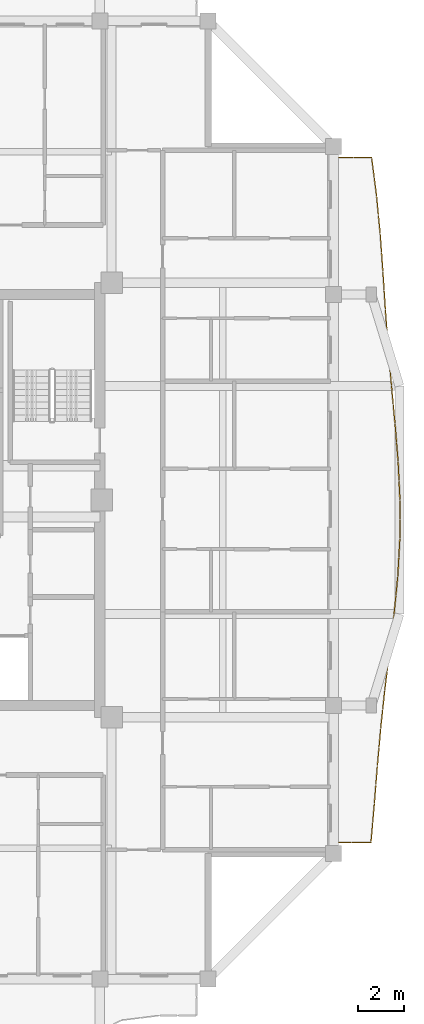
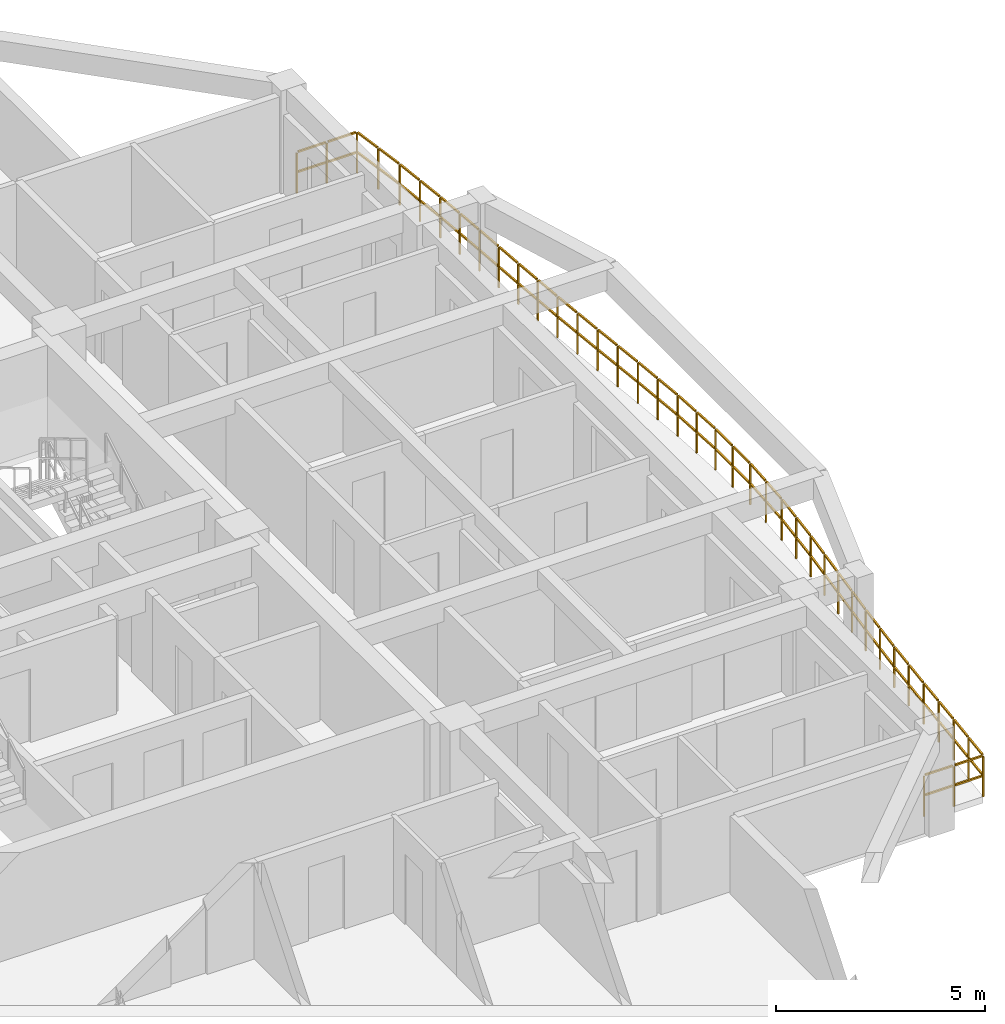
# One storey, part 13 of 14: 1 railing.
"""IFC4 building model written with IfcOpenShell, lengths in metres."""

from ifc_helpers import new_model, si_unit, direction, frame, origin, origin_2d, place, context, subcontext, project, spatial, rectangle, extrude, material, type_object, element, save


model = new_model("IFC4")

# Units and contexts
model_context = context("Model", 3, precision=1e-05, world=origin(), true_north=direction((0.0, 1.0)))
body_context = subcontext(model_context, "Body", "Model", "MODEL_VIEW")
ifc_project = project(units=[si_unit("LENGTHUNIT", "METRE"), si_unit("AREAUNIT", "SQUARE_METRE"), si_unit("VOLUMEUNIT", "CUBIC_METRE"), si_unit("PLANEANGLEUNIT", "RADIAN"), si_unit("MASSUNIT", "GRAM", prefix="KILO")], contexts=[model_context])

# Site, building, storey
site_placement = place(None, origin())
site = spatial("IfcSite", under=ifc_project, at=site_placement, CompositionType="ELEMENT")
building_placement = place(site_placement, origin())
building = spatial("IfcBuilding", under=site, at=building_placement, Name="Saelheon Loggia Tower", CompositionType="ELEMENT")
storey_placement = place(building_placement, frame((0.0, 0.0, 230.10009765625)))
storey = spatial("IfcBuildingStorey", under=building, at=storey_placement, Name="L71", CompositionType="ELEMENT", Elevation=230.10009765625)

# Railing
ifc_material = material(Name="Architectural Precast Concrete and Laminated Glass Guard", Category="concrete")
railing_type = type_object("IfcRailingType", Name="Guard_Loggia_RL_LOG", PredefinedType="BALUSTRADE", material=ifc_material)
railing_placement = place(storey_placement, frame((54.75, 12.0, 0.0)))
element("IfcRailing", 1, at=railing_placement, inside=storey, type_object=railing_type, Name="L71 East Loggia Balustrade", PredefinedType="BALUSTRADE", context=body_context, shape_type="SweptSolid", body=[
    extrude(rectangle(XDim=0.048095703125, YDim=0.048095703125, at=origin_2d()), frame((0.033203125, 0.0, 1.19580078125), z_axis=(1.0, 0.0, 0.0), x_axis=(0.0, 1.0, 0.0)), (0.0, 0.0, 1.0), 0.7509765625),
    extrude(rectangle(XDim=0.048095703125, YDim=0.048095703125, at=origin_2d()), frame((0.033203125, 0.0, 0.60986328125), z_axis=(1.0, 0.0, 0.0), x_axis=(0.0, 1.0, 0.0)), (0.0, 0.0, 1.0), 0.7509765625),
    extrude(rectangle(XDim=0.048095703125, YDim=0.048095703125, at=origin_2d()), frame((0.850830078125, 0.0, 1.19580078125), z_axis=(1.0, 0.0, 0.0), x_axis=(0.0, 1.0, 0.0)), (0.0, 0.0, 1.0), 0.7509765625),
    extrude(rectangle(XDim=0.048095703125, YDim=0.048095703125, at=origin_2d()), frame((0.850830078125, 0.0, 0.60986328125), z_axis=(1.0, 0.0, 0.0), x_axis=(0.0, 1.0, 0.0)), (0.0, 0.0, 1.0), 0.7509765625),
    extrude(rectangle(XDim=0.048095703125, YDim=0.048095703125, at=origin_2d()), frame((1.637939453125, 0.033203125, 1.19580078125), z_axis=(0.087114455938, 0.996198309357, 0.0), x_axis=(-0.996198309357, 0.087114455938, 0.0)), (0.0, 0.0, 1.0), 0.77001953125),
    extrude(rectangle(XDim=0.048095703125, YDim=0.048095703125, at=origin_2d()), frame((1.637939453125, 0.033203125, 0.60986328125), z_axis=(0.087114455938, 0.996198309357, 0.0), x_axis=(-0.996198309357, 0.087114455938, 0.0)), (0.0, 0.0, 1.0), 0.77001953125),
    extrude(rectangle(XDim=0.048095703125, YDim=0.048095703125, at=origin_2d()), frame((1.710693359375, 0.866455078125, 1.19580078125), z_axis=(0.087114455938, 0.996198309357, 0.0), x_axis=(-0.996198309357, 0.087114455938, 0.0)), (0.0, 0.0, 1.0), 0.77001953125),
    extrude(rectangle(XDim=0.048095703125, YDim=0.048095703125, at=origin_2d()), frame((1.710693359375, 0.866455078125, 0.60986328125), z_axis=(0.087114455938, 0.996198309357, 0.0), x_axis=(-0.996198309357, 0.087114455938, 0.0)), (0.0, 0.0, 1.0), 0.77001953125),
    extrude(rectangle(XDim=0.048095703125, YDim=0.048095703125, at=origin_2d()), frame((1.783447265625, 1.699951171875, 1.19580078125), z_axis=(0.07973361399, 0.996816207132, 0.0), x_axis=(-0.996816207132, 0.07973361399, 0.0)), (0.0, 0.0, 1.0), 0.76953125),
    extrude(rectangle(XDim=0.048095703125, YDim=0.048095703125, at=origin_2d()), frame((1.783447265625, 1.699951171875, 0.60986328125), z_axis=(0.07973361399, 0.996816207132, 0.0), x_axis=(-0.996816207132, 0.07973361399, 0.0)), (0.0, 0.0, 1.0), 0.76953125),
    extrude(rectangle(XDim=0.048095703125, YDim=0.048095703125, at=origin_2d()), frame((1.85009765625, 2.533203125, 1.19580078125), z_axis=(0.07973361399, 0.996816207132, 0.0), x_axis=(-0.996816207132, 0.07973361399, 0.0)), (0.0, 0.0, 1.0), 0.76953125),
    extrude(rectangle(XDim=0.048095703125, YDim=0.048095703125, at=origin_2d()), frame((1.85009765625, 2.533203125, 0.60986328125), z_axis=(0.07973361399, 0.996816207132, 0.0), x_axis=(-0.996816207132, 0.07973361399, 0.0)), (0.0, 0.0, 1.0), 0.76953125),
    extrude(rectangle(XDim=0.048095703125, YDim=0.048095703125, at=origin_2d()), frame((1.9169921875, 3.366455078125, 1.19580078125), z_axis=(0.088417548039, 0.99608349911, 0.0), x_axis=(-0.99608349911, 0.088417548039, 0.0)), (0.0, 0.0, 1.0), 0.770263671875),
    extrude(rectangle(XDim=0.048095703125, YDim=0.048095703125, at=origin_2d()), frame((1.9169921875, 3.366455078125, 0.60986328125), z_axis=(0.088417548039, 0.99608349911, 0.0), x_axis=(-0.99608349911, 0.088417548039, 0.0)), (0.0, 0.0, 1.0), 0.770263671875),
    extrude(rectangle(XDim=0.048095703125, YDim=0.048095703125, at=origin_2d()), frame((1.990966796875, 4.19970703125, 1.19580078125), z_axis=(0.088417548039, 0.99608349911, 0.0), x_axis=(-0.99608349911, 0.088417548039, 0.0)), (0.0, 0.0, 1.0), 0.770263671875),
    extrude(rectangle(XDim=0.048095703125, YDim=0.048095703125, at=origin_2d()), frame((1.990966796875, 4.19970703125, 0.60986328125), z_axis=(0.088417548039, 0.99608349911, 0.0), x_axis=(-0.99608349911, 0.088417548039, 0.0)), (0.0, 0.0, 1.0), 0.770263671875),
    extrude(rectangle(XDim=0.048095703125, YDim=0.048095703125, at=origin_2d()), frame((2.0654296875, 5.032958984375, 1.19580078125), z_axis=(0.106178269107, 0.994347110002, 0.0), x_axis=(-0.994347110002, 0.106178269107, 0.0)), (0.0, 0.0, 1.0), 0.771728515625),
    extrude(rectangle(XDim=0.048095703125, YDim=0.048095703125, at=origin_2d()), frame((2.0654296875, 5.032958984375, 0.60986328125), z_axis=(0.106178269107, 0.994347110002, 0.0), x_axis=(-0.994347110002, 0.106178269107, 0.0)), (0.0, 0.0, 1.0), 0.771728515625),
    extrude(rectangle(XDim=0.048095703125, YDim=0.048095703125, at=origin_2d()), frame((2.154541015625, 5.866455078125, 1.19580078125), z_axis=(0.106178269107, 0.994347110002, 0.0), x_axis=(-0.994347110002, 0.106178269107, 0.0)), (0.0, 0.0, 1.0), 0.771728515625),
    extrude(rectangle(XDim=0.048095703125, YDim=0.048095703125, at=origin_2d()), frame((2.154541015625, 5.866455078125, 0.60986328125), z_axis=(0.106178269107, 0.994347110002, 0.0), x_axis=(-0.994347110002, 0.106178269107, 0.0)), (0.0, 0.0, 1.0), 0.771728515625),
    extrude(rectangle(XDim=0.048095703125, YDim=0.048095703125, at=origin_2d()), frame((2.243896484375, 6.69970703125, 1.19580078125), z_axis=(0.120704864323, 0.992688438398, 0.0), x_axis=(-0.992688438398, 0.120704864323, 0.0)), (0.0, 0.0, 1.0), 0.77294921875),
    extrude(rectangle(XDim=0.048095703125, YDim=0.048095703125, at=origin_2d()), frame((2.243896484375, 6.69970703125, 0.60986328125), z_axis=(0.120704864323, 0.992688438398, 0.0), x_axis=(-0.992688438398, 0.120704864323, 0.0)), (0.0, 0.0, 1.0), 0.77294921875),
    extrude(rectangle(XDim=0.048095703125, YDim=0.048095703125, at=origin_2d()), frame((2.34521484375, 7.532958984375, 1.19580078125), z_axis=(0.120704864323, 0.992688438398, 0.0), x_axis=(-0.992688438398, 0.120704864323, 0.0)), (0.0, 0.0, 1.0), 0.77294921875),
    extrude(rectangle(XDim=0.048095703125, YDim=0.048095703125, at=origin_2d()), frame((2.34521484375, 7.532958984375, 0.60986328125), z_axis=(0.120704864323, 0.992688438398, 0.0), x_axis=(-0.992688438398, 0.120704864323, 0.0)), (0.0, 0.0, 1.0), 0.77294921875),
    extrude(rectangle(XDim=0.048095703125, YDim=0.048095703125, at=origin_2d()), frame((2.446533203125, 8.3662109375, 1.19580078125), z_axis=(0.120257541517, 0.992742727855, 0.0), x_axis=(-0.992742727855, 0.120257541517, 0.0)), (0.0, 0.0, 1.0), 0.77294921875),
    extrude(rectangle(XDim=0.048095703125, YDim=0.048095703125, at=origin_2d()), frame((2.446533203125, 8.3662109375, 0.60986328125), z_axis=(0.120257541517, 0.992742727855, 0.0), x_axis=(-0.992742727855, 0.120257541517, 0.0)), (0.0, 0.0, 1.0), 0.77294921875),
    extrude(rectangle(XDim=0.048095703125, YDim=0.048095703125, at=origin_2d()), frame((2.547607421875, 9.19970703125, 1.19580078125), z_axis=(0.120257541517, 0.992742727855, 0.0), x_axis=(-0.992742727855, 0.120257541517, 0.0)), (0.0, 0.0, 1.0), 0.77294921875),
    extrude(rectangle(XDim=0.048095703125, YDim=0.048095703125, at=origin_2d()), frame((2.547607421875, 9.19970703125, 0.60986328125), z_axis=(0.120257541517, 0.992742727855, 0.0), x_axis=(-0.992742727855, 0.120257541517, 0.0)), (0.0, 0.0, 1.0), 0.77294921875),
    extrude(rectangle(XDim=0.048095703125, YDim=0.048095703125, at=origin_2d()), frame((2.647705078125, 10.032958984375, 1.19580078125), z_axis=(0.097814897241, 0.995204625129, 0.0), x_axis=(-0.995204625129, 0.097814897241, 0.0)), (0.0, 0.0, 1.0), 0.77099609375),
    extrude(rectangle(XDim=0.048095703125, YDim=0.048095703125, at=origin_2d()), frame((2.647705078125, 10.032958984375, 0.60986328125), z_axis=(0.097814897241, 0.995204625129, 0.0), x_axis=(-0.995204625129, 0.097814897241, 0.0)), (0.0, 0.0, 1.0), 0.77099609375),
    extrude(rectangle(XDim=0.048095703125, YDim=0.048095703125, at=origin_2d()), frame((2.729736328125, 10.866455078125, 1.19580078125), z_axis=(0.097814897241, 0.995204625129, 0.0), x_axis=(-0.995204625129, 0.097814897241, 0.0)), (0.0, 0.0, 1.0), 0.77099609375),
    extrude(rectangle(XDim=0.048095703125, YDim=0.048095703125, at=origin_2d()), frame((2.729736328125, 10.866455078125, 0.60986328125), z_axis=(0.097814897241, 0.995204625129, 0.0), x_axis=(-0.995204625129, 0.097814897241, 0.0)), (0.0, 0.0, 1.0), 0.77099609375),
    extrude(rectangle(XDim=0.048095703125, YDim=0.048095703125, at=origin_2d()), frame((2.81005859375, 11.699951171875, 1.19580078125), z_axis=(0.05485429076, 0.998494369932, 0.0), x_axis=(-0.998494369932, 0.05485429076, 0.0)), (0.0, 0.0, 1.0), 0.76806640625),
    extrude(rectangle(XDim=0.048095703125, YDim=0.048095703125, at=origin_2d()), frame((2.81005859375, 11.699951171875, 0.60986328125), z_axis=(0.05485429076, 0.998494369932, 0.0), x_axis=(-0.998494369932, 0.05485429076, 0.0)), (0.0, 0.0, 1.0), 0.76806640625),
    extrude(rectangle(XDim=0.048095703125, YDim=0.048095703125, at=origin_2d()), frame((2.85595703125, 12.533203125, 1.19580078125), z_axis=(0.05485429076, 0.998494369932, 0.0), x_axis=(-0.998494369932, 0.05485429076, 0.0)), (0.0, 0.0, 1.0), 0.76806640625),
    extrude(rectangle(XDim=0.048095703125, YDim=0.048095703125, at=origin_2d()), frame((2.85595703125, 12.533203125, 0.60986328125), z_axis=(0.05485429076, 0.998494369932, 0.0), x_axis=(-0.998494369932, 0.05485429076, 0.0)), (0.0, 0.0, 1.0), 0.76806640625),
    extrude(rectangle(XDim=0.048095703125, YDim=0.048095703125, at=origin_2d()), frame((2.89990234375, 13.366455078125, 1.19580078125), z_axis=(0.001611247359, 0.99999870194, 0.0), x_axis=(-0.99999870194, 0.001611247359, 0.0)), (0.0, 0.0, 1.0), 0.766845703125),
    extrude(rectangle(XDim=0.048095703125, YDim=0.048095703125, at=origin_2d()), frame((2.89990234375, 13.366455078125, 0.60986328125), z_axis=(0.001611247359, 0.99999870194, 0.0), x_axis=(-0.99999870194, 0.001611247359, 0.0)), (0.0, 0.0, 1.0), 0.766845703125),
    extrude(rectangle(XDim=0.048095703125, YDim=0.048095703125, at=origin_2d()), frame((2.9013671875, 14.199951171875, 1.19580078125), z_axis=(0.001611247359, 0.99999870194, 0.0), x_axis=(-0.99999870194, 0.001611247359, 0.0)), (0.0, 0.0, 1.0), 0.766845703125),
    extrude(rectangle(XDim=0.048095703125, YDim=0.048095703125, at=origin_2d()), frame((2.9013671875, 14.199951171875, 0.60986328125), z_axis=(0.001611247359, 0.99999870194, 0.0), x_axis=(-0.99999870194, 0.001611247359, 0.0)), (0.0, 0.0, 1.0), 0.766845703125),
    extrude(rectangle(XDim=0.048095703125, YDim=0.048095703125, at=origin_2d()), frame((2.90087890625, 15.033203125, 1.19580078125), z_axis=(-0.047843201799, 0.998854858346, 0.0), x_axis=(-0.998854858346, -0.047843201799, 0.0)), (0.0, 0.0, 1.0), 0.767822265625),
    extrude(rectangle(XDim=0.048095703125, YDim=0.048095703125, at=origin_2d()), frame((2.90087890625, 15.033203125, 0.60986328125), z_axis=(-0.047843201799, 0.998854858346, 0.0), x_axis=(-0.998854858346, -0.047843201799, 0.0)), (0.0, 0.0, 1.0), 0.767822265625),
    extrude(rectangle(XDim=0.048095703125, YDim=0.048095703125, at=origin_2d()), frame((2.861083984375, 15.866455078125, 1.19580078125), z_axis=(-0.047843201799, 0.998854858346, 0.0), x_axis=(-0.998854858346, -0.047843201799, 0.0)), (0.0, 0.0, 1.0), 0.767822265625),
    extrude(rectangle(XDim=0.048095703125, YDim=0.048095703125, at=origin_2d()), frame((2.861083984375, 15.866455078125, 0.60986328125), z_axis=(-0.047843201799, 0.998854858346, 0.0), x_axis=(-0.998854858346, -0.047843201799, 0.0)), (0.0, 0.0, 1.0), 0.767822265625),
    extrude(rectangle(XDim=0.048095703125, YDim=0.048095703125, at=origin_2d()), frame((2.820068359375, 16.699951171875, 1.19580078125), z_axis=(-0.080894281966, 0.996722687183, 0.0), x_axis=(-0.996722687183, -0.080894281966, 0.0)), (0.0, 0.0, 1.0), 0.76953125),
    extrude(rectangle(XDim=0.048095703125, YDim=0.048095703125, at=origin_2d()), frame((2.820068359375, 16.699951171875, 0.60986328125), z_axis=(-0.080894281966, 0.996722687183, 0.0), x_axis=(-0.996722687183, -0.080894281966, 0.0)), (0.0, 0.0, 1.0), 0.76953125),
    extrude(rectangle(XDim=0.048095703125, YDim=0.048095703125, at=origin_2d()), frame((2.75244140625, 17.533203125, 1.19580078125), z_axis=(-0.080894281966, 0.996722687183, 0.0), x_axis=(-0.996722687183, -0.080894281966, 0.0)), (0.0, 0.0, 1.0), 0.76953125),
    extrude(rectangle(XDim=0.048095703125, YDim=0.048095703125, at=origin_2d()), frame((2.75244140625, 17.533203125, 0.60986328125), z_axis=(-0.080894281966, 0.996722687183, 0.0), x_axis=(-0.996722687183, -0.080894281966, 0.0)), (0.0, 0.0, 1.0), 0.76953125),
    extrude(rectangle(XDim=0.048095703125, YDim=0.048095703125, at=origin_2d()), frame((2.684326171875, 18.366455078125, 1.19580078125), z_axis=(-0.092613280801, 0.995702154371, 0.0), x_axis=(-0.995702154371, -0.092613280801, 0.0)), (0.0, 0.0, 1.0), 0.7705078125),
    extrude(rectangle(XDim=0.048095703125, YDim=0.048095703125, at=origin_2d()), frame((2.684326171875, 18.366455078125, 0.60986328125), z_axis=(-0.092613280801, 0.995702154371, 0.0), x_axis=(-0.995702154371, -0.092613280801, 0.0)), (0.0, 0.0, 1.0), 0.7705078125),
    extrude(rectangle(XDim=0.048095703125, YDim=0.048095703125, at=origin_2d()), frame((2.60693359375, 19.19970703125, 1.19580078125), z_axis=(-0.092613280801, 0.995702154371, 0.0), x_axis=(-0.995702154371, -0.092613280801, 0.0)), (0.0, 0.0, 1.0), 0.7705078125),
    extrude(rectangle(XDim=0.048095703125, YDim=0.048095703125, at=origin_2d()), frame((2.60693359375, 19.19970703125, 0.60986328125), z_axis=(-0.092613280801, 0.995702154371, 0.0), x_axis=(-0.995702154371, -0.092613280801, 0.0)), (0.0, 0.0, 1.0), 0.7705078125),
    extrude(rectangle(XDim=0.048095703125, YDim=0.048095703125, at=origin_2d()), frame((2.529541015625, 20.033203125, 1.19580078125), z_axis=(-0.086390322179, 0.99626136743, 0.0), x_axis=(-0.99626136743, -0.086390322179, 0.0)), (0.0, 0.0, 1.0), 0.77001953125),
    extrude(rectangle(XDim=0.048095703125, YDim=0.048095703125, at=origin_2d()), frame((2.529541015625, 20.033203125, 0.60986328125), z_axis=(-0.086390322179, 0.99626136743, 0.0), x_axis=(-0.99626136743, -0.086390322179, 0.0)), (0.0, 0.0, 1.0), 0.77001953125),
    extrude(rectangle(XDim=0.048095703125, YDim=0.048095703125, at=origin_2d()), frame((2.457275390625, 20.866455078125, 1.19580078125), z_axis=(-0.086390322179, 0.99626136743, 0.0), x_axis=(-0.99626136743, -0.086390322179, 0.0)), (0.0, 0.0, 1.0), 0.77001953125),
    extrude(rectangle(XDim=0.048095703125, YDim=0.048095703125, at=origin_2d()), frame((2.457275390625, 20.866455078125, 0.60986328125), z_axis=(-0.086390322179, 0.99626136743, 0.0), x_axis=(-0.99626136743, -0.086390322179, 0.0)), (0.0, 0.0, 1.0), 0.77001953125),
    extrude(rectangle(XDim=0.048095703125, YDim=0.048095703125, at=origin_2d()), frame((2.385498046875, 21.699951171875, 1.19580078125), z_axis=(-0.072762955311, 0.997349262964, 0.0), x_axis=(-0.997349262964, -0.072762955311, 0.0)), (0.0, 0.0, 1.0), 0.76904296875),
    extrude(rectangle(XDim=0.048095703125, YDim=0.048095703125, at=origin_2d()), frame((2.385498046875, 21.699951171875, 0.60986328125), z_axis=(-0.072762955311, 0.997349262964, 0.0), x_axis=(-0.997349262964, -0.072762955311, 0.0)), (0.0, 0.0, 1.0), 0.76904296875),
    extrude(rectangle(XDim=0.048095703125, YDim=0.048095703125, at=origin_2d()), frame((2.32470703125, 22.533203125, 1.19580078125), z_axis=(-0.072762955311, 0.997349262964, 0.0), x_axis=(-0.997349262964, -0.072762955311, 0.0)), (0.0, 0.0, 1.0), 0.76904296875),
    extrude(rectangle(XDim=0.048095703125, YDim=0.048095703125, at=origin_2d()), frame((2.32470703125, 22.533203125, 0.60986328125), z_axis=(-0.072762955311, 0.997349262964, 0.0), x_axis=(-0.997349262964, -0.072762955311, 0.0)), (0.0, 0.0, 1.0), 0.76904296875),
    extrude(rectangle(XDim=0.048095703125, YDim=0.048095703125, at=origin_2d()), frame((2.26416015625, 23.366455078125, 1.19580078125), z_axis=(-0.064753226783, 0.997901307556, 0.0), x_axis=(-0.997901307556, -0.064753226783, 0.0)), (0.0, 0.0, 1.0), 0.7685546875),
    extrude(rectangle(XDim=0.048095703125, YDim=0.048095703125, at=origin_2d()), frame((2.26416015625, 23.366455078125, 0.60986328125), z_axis=(-0.064753226783, 0.997901307556, 0.0), x_axis=(-0.997901307556, -0.064753226783, 0.0)), (0.0, 0.0, 1.0), 0.7685546875),
    extrude(rectangle(XDim=0.048095703125, YDim=0.048095703125, at=origin_2d()), frame((2.210205078125, 24.19970703125, 1.19580078125), z_axis=(-0.064753226783, 0.997901307556, 0.0), x_axis=(-0.997901307556, -0.064753226783, 0.0)), (0.0, 0.0, 1.0), 0.7685546875),
    extrude(rectangle(XDim=0.048095703125, YDim=0.048095703125, at=origin_2d()), frame((2.210205078125, 24.19970703125, 0.60986328125), z_axis=(-0.064753226783, 0.997901307556, 0.0), x_axis=(-0.997901307556, -0.064753226783, 0.0)), (0.0, 0.0, 1.0), 0.7685546875),
    extrude(rectangle(XDim=0.048095703125, YDim=0.048095703125, at=origin_2d()), frame((2.15576171875, 25.033203125, 1.19580078125), z_axis=(-0.07188037557, 0.997413260193, 0.0), x_axis=(-0.997413260193, -0.07188037557, 0.0)), (0.0, 0.0, 1.0), 0.76904296875),
    extrude(rectangle(XDim=0.048095703125, YDim=0.048095703125, at=origin_2d()), frame((2.15576171875, 25.033203125, 0.60986328125), z_axis=(-0.07188037557, 0.997413260193, 0.0), x_axis=(-0.997413260193, -0.07188037557, 0.0)), (0.0, 0.0, 1.0), 0.76904296875),
    extrude(rectangle(XDim=0.048095703125, YDim=0.048095703125, at=origin_2d()), frame((2.095703125, 25.866455078125, 1.19580078125), z_axis=(-0.07188037557, 0.997413260193, 0.0), x_axis=(-0.997413260193, -0.07188037557, 0.0)), (0.0, 0.0, 1.0), 0.76904296875),
    extrude(rectangle(XDim=0.048095703125, YDim=0.048095703125, at=origin_2d()), frame((2.095703125, 25.866455078125, 0.60986328125), z_axis=(-0.07188037557, 0.997413260193, 0.0), x_axis=(-0.997413260193, -0.07188037557, 0.0)), (0.0, 0.0, 1.0), 0.76904296875),
    extrude(rectangle(XDim=0.048095703125, YDim=0.048095703125, at=origin_2d()), frame((2.034912109375, 26.699951171875, 1.19580078125), z_axis=(-0.095084372912, 0.995469217017, 0.0), x_axis=(-0.995469217017, -0.095084372912, 0.0)), (0.0, 0.0, 1.0), 0.7705078125),
    extrude(rectangle(XDim=0.048095703125, YDim=0.048095703125, at=origin_2d()), frame((2.034912109375, 26.699951171875, 0.60986328125), z_axis=(-0.095084372912, 0.995469217017, 0.0), x_axis=(-0.995469217017, -0.095084372912, 0.0)), (0.0, 0.0, 1.0), 0.7705078125),
    extrude(rectangle(XDim=0.048095703125, YDim=0.048095703125, at=origin_2d()), frame((1.955322265625, 27.533203125, 1.19580078125), z_axis=(-0.095084372912, 0.995469217017, 0.0), x_axis=(-0.995469217017, -0.095084372912, 0.0)), (0.0, 0.0, 1.0), 0.7705078125),
    extrude(rectangle(XDim=0.048095703125, YDim=0.048095703125, at=origin_2d()), frame((1.955322265625, 27.533203125, 0.60986328125), z_axis=(-0.095084372912, 0.995469217017, 0.0), x_axis=(-0.995469217017, -0.095084372912, 0.0)), (0.0, 0.0, 1.0), 0.7705078125),
    extrude(rectangle(XDim=0.048095703125, YDim=0.048095703125, at=origin_2d()), frame((1.874755859375, 28.3662109375, 1.19580078125), z_axis=(-0.12755645116, 0.991831312153, 0.0), x_axis=(-0.991831312153, -0.12755645116, 0.0)), (0.0, 0.0, 1.0), 0.773681640625),
    extrude(rectangle(XDim=0.048095703125, YDim=0.048095703125, at=origin_2d()), frame((1.874755859375, 28.3662109375, 0.60986328125), z_axis=(-0.12755645116, 0.991831312153, 0.0), x_axis=(-0.991831312153, -0.12755645116, 0.0)), (0.0, 0.0, 1.0), 0.773681640625),
    extrude(rectangle(XDim=0.048095703125, YDim=0.048095703125, at=origin_2d()), frame((1.767578125, 29.19970703125, 1.19580078125), z_axis=(-0.12755645116, 0.991831312153, 0.0), x_axis=(-0.991831312153, -0.12755645116, 0.0)), (0.0, 0.0, 1.0), 0.773681640625),
    extrude(rectangle(XDim=0.048095703125, YDim=0.048095703125, at=origin_2d()), frame((1.767578125, 29.19970703125, 0.60986328125), z_axis=(-0.12755645116, 0.991831312153, 0.0), x_axis=(-0.991831312153, -0.12755645116, 0.0)), (0.0, 0.0, 1.0), 0.773681640625),
    extrude(rectangle(XDim=0.048095703125, YDim=0.048095703125, at=origin_2d()), frame((1.63134765625, 30.0, 1.19580078125), z_axis=(-1.0, 0.0, 0.0), x_axis=(0.0, -1.0, 0.0)), (0.0, 0.0, 1.0), 0.765869140625),
    extrude(rectangle(XDim=0.048095703125, YDim=0.048095703125, at=origin_2d()), frame((1.63134765625, 30.0, 0.60986328125), z_axis=(-1.0, 0.0, 0.0), x_axis=(0.0, -1.0, 0.0)), (0.0, 0.0, 1.0), 0.765869140625),
    extrude(rectangle(XDim=0.048095703125, YDim=0.048095703125, at=origin_2d()), frame((0.799072265625, 30.0, 1.19580078125), z_axis=(-1.0, 0.0, 0.0), x_axis=(0.0, -1.0, 0.0)), (0.0, 0.0, 1.0), 0.765869140625),
    extrude(rectangle(XDim=0.048095703125, YDim=0.048095703125, at=origin_2d()), frame((0.799072265625, 30.0, 0.60986328125), z_axis=(-1.0, 0.0, 0.0), x_axis=(0.0, -1.0, 0.0)), (0.0, 0.0, 1.0), 0.765869140625),
    extrude(rectangle(XDim=0.0419921875, YDim=0.0419921875, at=origin_2d()), origin(), (0.0, 0.0, 1.0), 1.16796875),
    extrude(rectangle(XDim=0.0419921875, YDim=0.0419921875, at=origin_2d()), frame((0.8173828125, 0.0, 0.0)), (0.0, 0.0, 1.0), 1.16796875),
    extrude(rectangle(XDim=0.0419921875, YDim=0.0419921875, at=origin_2d()), frame((1.635009765625, 0.0, 0.0)), (0.0, 0.0, 1.0), 1.16796875),
    extrude(rectangle(XDim=0.0419921875, YDim=0.0419921875, at=origin_2d()), frame((1.7080078125, 0.83349609375, 0.0)), (0.0, 0.0, 1.0), 1.16796875),
    extrude(rectangle(XDim=0.0419921875, YDim=0.0419921875, at=origin_2d()), frame((1.78076171875, 1.666748046875, 0.0)), (0.0, 0.0, 1.0), 1.16796875),
    extrude(rectangle(XDim=0.0419921875, YDim=0.0419921875, at=origin_2d()), frame((1.847412109375, 2.5, 0.0)), (0.0, 0.0, 1.0), 1.16796875),
    extrude(rectangle(XDim=0.0419921875, YDim=0.0419921875, at=origin_2d()), frame((1.9140625, 3.333251953125, 0.0)), (0.0, 0.0, 1.0), 1.16796875),
    extrude(rectangle(XDim=0.0419921875, YDim=0.0419921875, at=origin_2d()), frame((1.988037109375, 4.16650390625, 0.0)), (0.0, 0.0, 1.0), 1.16796875),
    extrude(rectangle(XDim=0.0419921875, YDim=0.0419921875, at=origin_2d()), frame((2.06201171875, 5.0, 0.0)), (0.0, 0.0, 1.0), 1.16796875),
    extrude(rectangle(XDim=0.0419921875, YDim=0.0419921875, at=origin_2d()), frame((2.15087890625, 5.83349609375, 0.0)), (0.0, 0.0, 1.0), 1.16796875),
    extrude(rectangle(XDim=0.0419921875, YDim=0.0419921875, at=origin_2d()), frame((2.239990234375, 6.666748046875, 0.0)), (0.0, 0.0, 1.0), 1.16796875),
    extrude(rectangle(XDim=0.0419921875, YDim=0.0419921875, at=origin_2d()), frame((2.34130859375, 7.5, 0.0)), (0.0, 0.0, 1.0), 1.16796875),
    extrude(rectangle(XDim=0.0419921875, YDim=0.0419921875, at=origin_2d()), frame((2.442626953125, 8.333251953125, 0.0)), (0.0, 0.0, 1.0), 1.16796875),
    extrude(rectangle(XDim=0.0419921875, YDim=0.0419921875, at=origin_2d()), frame((2.54345703125, 9.16650390625, 0.0)), (0.0, 0.0, 1.0), 1.16796875),
    extrude(rectangle(XDim=0.0419921875, YDim=0.0419921875, at=origin_2d()), frame((2.64453125, 10.0, 0.0)), (0.0, 0.0, 1.0), 1.16796875),
    extrude(rectangle(XDim=0.0419921875, YDim=0.0419921875, at=origin_2d()), frame((2.7265625, 10.83349609375, 0.0)), (0.0, 0.0, 1.0), 1.16796875),
    extrude(rectangle(XDim=0.0419921875, YDim=0.0419921875, at=origin_2d()), frame((2.808349609375, 11.666748046875, 0.0)), (0.0, 0.0, 1.0), 1.16796875),
    extrude(rectangle(XDim=0.0419921875, YDim=0.0419921875, at=origin_2d()), frame((2.85400390625, 12.5, 0.0)), (0.0, 0.0, 1.0), 1.16796875),
    extrude(rectangle(XDim=0.0419921875, YDim=0.0419921875, at=origin_2d()), frame((2.89990234375, 13.333251953125, 0.0)), (0.0, 0.0, 1.0), 1.16796875),
    extrude(rectangle(XDim=0.0419921875, YDim=0.0419921875, at=origin_2d()), frame((2.9013671875, 14.16650390625, 0.0)), (0.0, 0.0, 1.0), 1.16796875),
    extrude(rectangle(XDim=0.0419921875, YDim=0.0419921875, at=origin_2d()), frame((2.902587890625, 15.0, 0.0)), (0.0, 0.0, 1.0), 1.16796875),
    extrude(rectangle(XDim=0.0419921875, YDim=0.0419921875, at=origin_2d()), frame((2.86279296875, 15.83349609375, 0.0)), (0.0, 0.0, 1.0), 1.16796875),
    extrude(rectangle(XDim=0.0419921875, YDim=0.0419921875, at=origin_2d()), frame((2.82275390625, 16.666748046875, 0.0)), (0.0, 0.0, 1.0), 1.16796875),
    extrude(rectangle(XDim=0.0419921875, YDim=0.0419921875, at=origin_2d()), frame((2.755126953125, 17.5, 0.0)), (0.0, 0.0, 1.0), 1.16796875),
    extrude(rectangle(XDim=0.0419921875, YDim=0.0419921875, at=origin_2d()), frame((2.6875, 18.333251953125, 0.0)), (0.0, 0.0, 1.0), 1.16796875),
    extrude(rectangle(XDim=0.0419921875, YDim=0.0419921875, at=origin_2d()), frame((2.60986328125, 19.16650390625, 0.0)), (0.0, 0.0, 1.0), 1.16796875),
    extrude(rectangle(XDim=0.0419921875, YDim=0.0419921875, at=origin_2d()), frame((2.532470703125, 20.0, 0.0)), (0.0, 0.0, 1.0), 1.16796875),
    extrude(rectangle(XDim=0.0419921875, YDim=0.0419921875, at=origin_2d()), frame((2.460205078125, 20.83349609375, 0.0)), (0.0, 0.0, 1.0), 1.16796875),
    extrude(rectangle(XDim=0.0419921875, YDim=0.0419921875, at=origin_2d()), frame((2.387939453125, 21.666748046875, 0.0)), (0.0, 0.0, 1.0), 1.16796875),
    extrude(rectangle(XDim=0.0419921875, YDim=0.0419921875, at=origin_2d()), frame((2.3271484375, 22.5, 0.0)), (0.0, 0.0, 1.0), 1.16796875),
    extrude(rectangle(XDim=0.0419921875, YDim=0.0419921875, at=origin_2d()), frame((2.266357421875, 23.333251953125, 0.0)), (0.0, 0.0, 1.0), 1.16796875),
    extrude(rectangle(XDim=0.0419921875, YDim=0.0419921875, at=origin_2d()), frame((2.21240234375, 24.16650390625, 0.0)), (0.0, 0.0, 1.0), 1.16796875),
    extrude(rectangle(XDim=0.0419921875, YDim=0.0419921875, at=origin_2d()), frame((2.158203125, 25.0, 0.0)), (0.0, 0.0, 1.0), 1.16796875),
    extrude(rectangle(XDim=0.0419921875, YDim=0.0419921875, at=origin_2d()), frame((2.09814453125, 25.83349609375, 0.0)), (0.0, 0.0, 1.0), 1.16796875),
    extrude(rectangle(XDim=0.0419921875, YDim=0.0419921875, at=origin_2d()), frame((2.0380859375, 26.666748046875, 0.0)), (0.0, 0.0, 1.0), 1.16796875),
    extrude(rectangle(XDim=0.0419921875, YDim=0.0419921875, at=origin_2d()), frame((1.95849609375, 27.5, 0.0)), (0.0, 0.0, 1.0), 1.16796875),
    extrude(rectangle(XDim=0.0419921875, YDim=0.0419921875, at=origin_2d()), frame((1.87890625, 28.333251953125, 0.0)), (0.0, 0.0, 1.0), 1.16796875),
    extrude(rectangle(XDim=0.0419921875, YDim=0.0419921875, at=origin_2d()), frame((1.771728515625, 29.16650390625, 0.0)), (0.0, 0.0, 1.0), 1.16796875),
    extrude(rectangle(XDim=0.0419921875, YDim=0.0419921875, at=origin_2d()), frame((1.66455078125, 30.0, 0.0)), (0.0, 0.0, 1.0), 1.16796875),
    extrude(rectangle(XDim=0.0419921875, YDim=0.0419921875, at=origin_2d()), frame((0.832275390625, 30.0, 0.0)), (0.0, 0.0, 1.0), 1.16796875),
    extrude(rectangle(XDim=0.0419921875, YDim=0.0419921875, at=origin_2d()), frame((0.0, 30.0, 0.0)), (0.0, 0.0, 1.0), 1.16796875),
])

save(model, "model.ifc")
